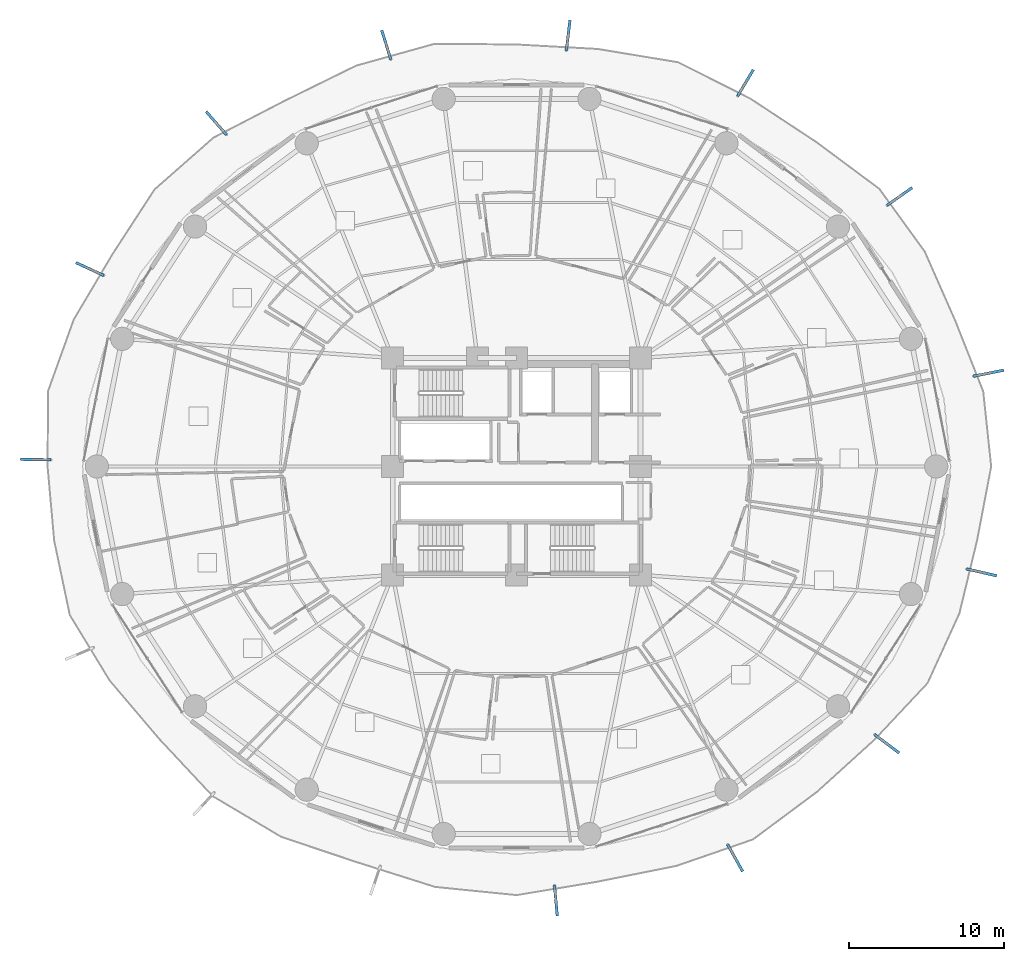
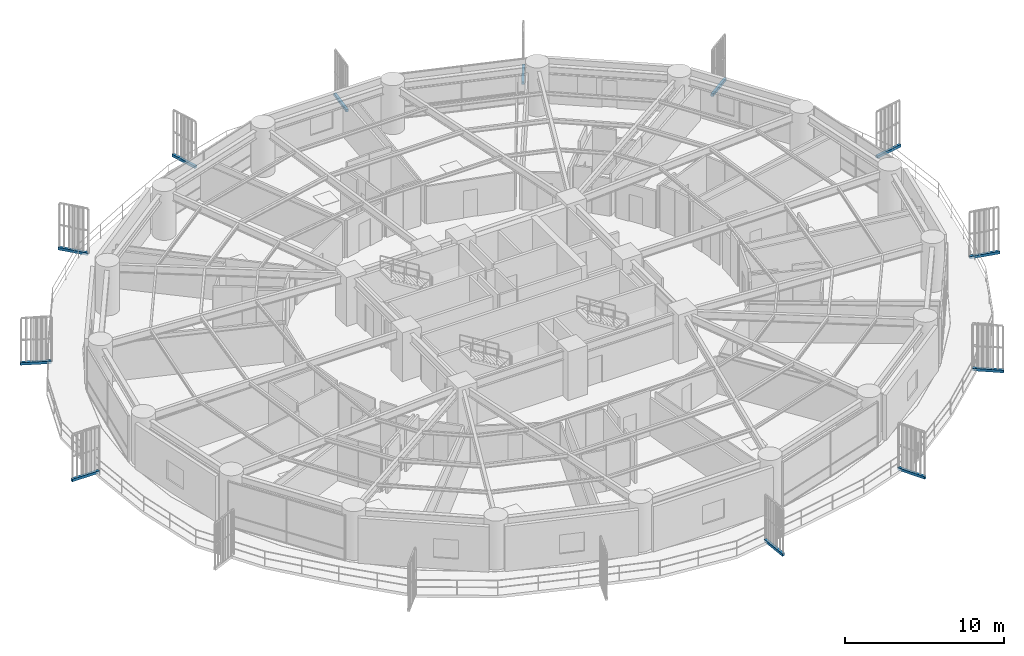
# One storey, part 29 of 34: 12 discrete accessories.
"""IFC4 building model written with IfcOpenShell, lengths in metres."""

from ifc_helpers import new_model, si_unit, direction, frame, origin, origin_2d, place, context, subcontext, project, spatial, rectangle, extrude, source, transform, mapped, material, type_object, element, save


model = new_model("IFC4")

# Units and contexts
model_context = context("Model", 3, precision=1e-05, world=origin(), true_north=direction((0.0, 1.0)))
body_context = subcontext(model_context, "Body", "Model", "MODEL_VIEW")
ifc_project = project(units=[si_unit("LENGTHUNIT", "METRE"), si_unit("AREAUNIT", "SQUARE_METRE"), si_unit("VOLUMEUNIT", "CUBIC_METRE"), si_unit("PLANEANGLEUNIT", "RADIAN"), si_unit("MASSUNIT", "GRAM", prefix="KILO")], contexts=[model_context])

# Site, building, storey
site_placement = place(None, origin())
site = spatial("IfcSite", under=ifc_project, at=site_placement, CompositionType="ELEMENT")
building_placement = place(site_placement, origin())
building = spatial("IfcBuilding", under=site, at=building_placement, Name="Kelanora Arch Commons", CompositionType="ELEMENT")
storey_placement = place(building_placement, frame((0.0, 0.0, 33.75)))
storey = spatial("IfcBuildingStorey", under=building, at=storey_placement, Name="L08", CompositionType="ELEMENT", Elevation=33.75)

# Discrete accessories
ifc_material = material(Name="Stainless steel 316 marine fin bracket", Category="steel")
discrete_accessory_type = type_object("IfcDiscreteAccessoryType", Name="ACC-FIN-BRK", PredefinedType="BRACKET", material=ifc_material)
shared_shape = source(origin(), body_context, "Body", "SweptSolid", [
    extrude(rectangle(XDim=1.9775390625, YDim=0.179931640625, at=origin_2d()), origin(), (0.0, 0.0, 1.0), 0.199951171875),
])
for number, where, z_axis, x_axis, name in (
    (1, (104.4619140625, 64.01708984375, -0.16015625), (0.0, 0.0, 1.0), (0.981056721746, 0.1937206977, 0.0), "Sweeping Fin Cantilever Spine Bracket L08-00"),
    (2, (98.71533203125, 75.41796875, -0.16015625), (0.0, 0.0, 1.0), (0.817446605564, 0.576004381105, 0.0), "Sweeping Fin Cantilever Spine Bracket L08-01"),
    (3, (88.771484375, 82.753662109375, -0.16015625), (0.0, 0.0, 1.0), (0.512492545011, 0.858691674181, 0.0), "Sweeping Fin Cantilever Spine Bracket L08-02"),
    (4, (77.32958984375, 85.816650390625, -0.16015625), (0.0, 0.0, 1.0), (0.118923867576, 0.992903375823, 0.0), "Sweeping Fin Cantilever Spine Bracket L08-03"),
    (5, (65.59228515625, 85.2041015625, -0.16015625), (0.0, 0.0, 1.0), (-0.295207826951, 0.955433063541, 0.0), "Sweeping Fin Cantilever Spine Bracket L08-04"),
    (6, (54.623779296875, 80.153564453125, -0.16015625), (0.0, 0.0, 1.0), (-0.65829540632, 0.752759694735, 0.0), "Sweeping Fin Cantilever Spine Bracket L08-05"),
    (7, (46.466064453125, 70.737548828125, -0.16015625), (0.0, 0.0, 1.0), (-0.90755772951, 0.419927336103, 0.0), "Sweeping Fin Cantilever Spine Bracket L08-06"),
    (8, (42.967041015625, 58.447509765625, -0.16015625), (0.0, 0.0, 1.0), (-0.999895076365, 0.014485726139, 0.0), "Sweeping Fin Cantilever Spine Bracket L08-07"),
    (9, (76.537109375, 29.982177734375, -0.16015625), (0.0, 0.0, 1.0), (0.090111123946, -0.995931717208, 0.0), "Sweeping Fin Cantilever Spine Bracket L08-11"),
    (10, (88.10595703125, 32.7333984375, -0.16015625), (0.0, 0.0, 1.0), (0.487402531354, -0.87317740032, 0.0), "Sweeping Fin Cantilever Spine Bracket L08-12"),
    (11, (97.895751953125, 40.10693359375, -0.16015625), (0.0, 0.0, 1.0), (0.800417613178, -0.599442778349, 0.0), "Sweeping Fin Cantilever Spine Bracket L08-13"),
    (12, (104.0078125, 51.168212890625, -0.16015625), (0.0, 0.0, 1.0), (0.975033218117, -0.222059054235, 0.0), "Sweeping Fin Cantilever Spine Bracket L08-14"),
):
    element("IfcDiscreteAccessory", number, at=place(storey_placement, frame(where, z_axis=z_axis, x_axis=x_axis)), inside=storey, type_object=discrete_accessory_type, Name=name, PredefinedType="BRACKET", context=body_context, shape_type="MappedRepresentation", body=[
        mapped(shared_shape, transform((0.0, 0.0, 0.0), scale=1.0)),
    ])

save(model, "model.ifc")
